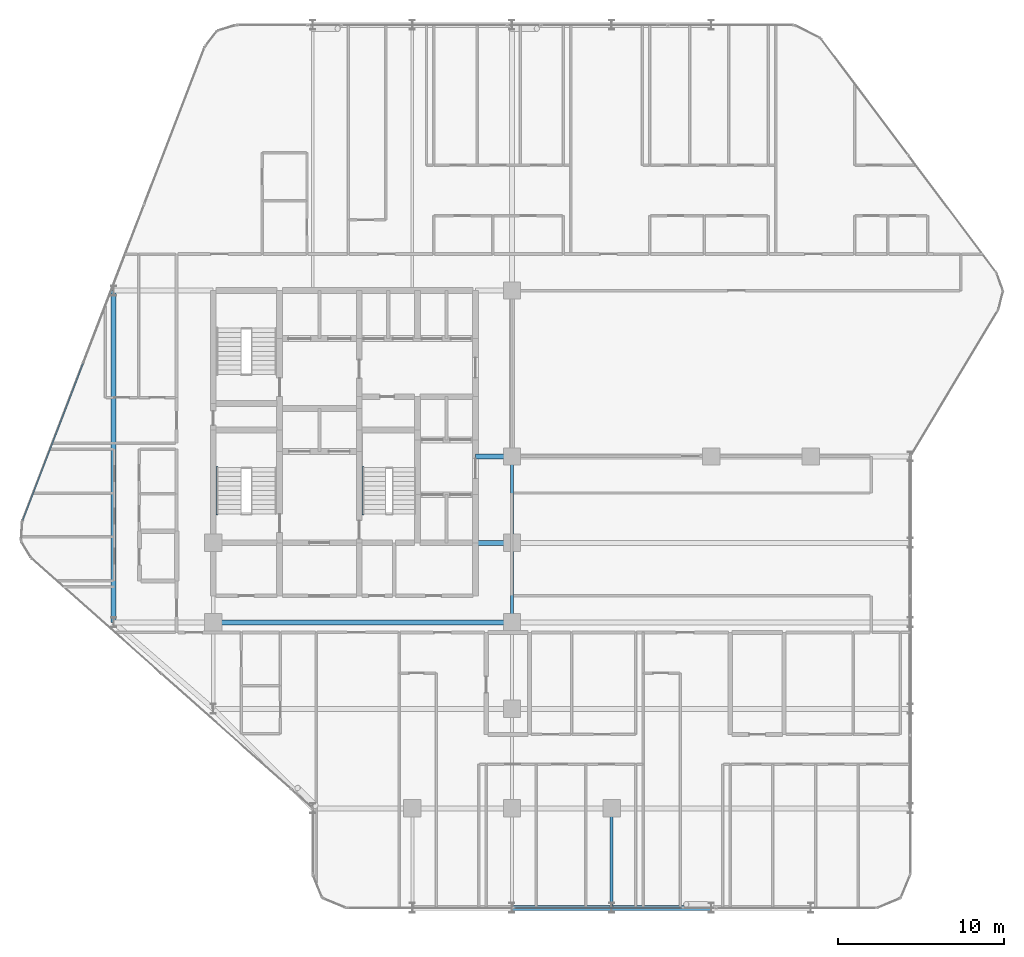
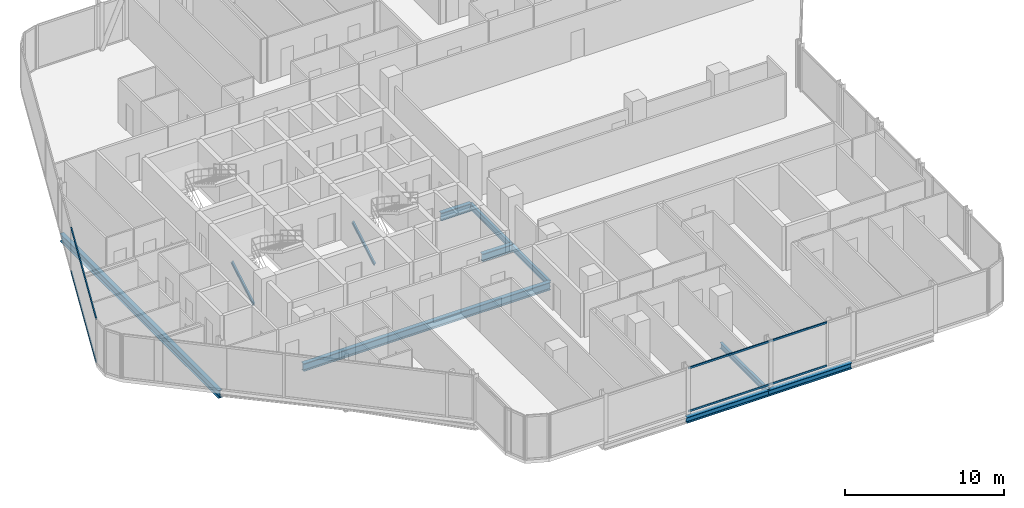
# One storey, part 7 of 29: 9 beams, 6 members, 2 elements without a shape of their own.
"""IFC4 building model written with IfcOpenShell, lengths in metres."""

from ifc_helpers import new_model, si_unit, direction, frame, origin, origin_2d, place, context, subcontext, project, spatial, hollow_rectangle, i_section, extrude, material, layer, layer_set, material_profile, profile_set, type_object, element, aggregate, save


model = new_model("IFC4")

# Units and contexts
model_context = context("Model", 3, precision=1e-05, world=origin(), true_north=direction((0.0, 1.0)))
body_context = subcontext(model_context, "Body", "Model", "MODEL_VIEW")
ifc_project = project(units=[si_unit("LENGTHUNIT", "METRE"), si_unit("AREAUNIT", "SQUARE_METRE"), si_unit("VOLUMEUNIT", "CUBIC_METRE"), si_unit("PLANEANGLEUNIT", "RADIAN"), si_unit("MASSUNIT", "GRAM", prefix="KILO")], contexts=[model_context])

# Site, building, storey
site_placement = place(None, origin())
site = spatial("IfcSite", under=ifc_project, at=site_placement, CompositionType="ELEMENT")
building_placement = place(site_placement, origin())
building = spatial("IfcBuilding", under=site, at=building_placement, Name="Keshet Zoharim Tower", CompositionType="ELEMENT")
storey_placement = place(building_placement, frame((0.0, 0.0, 105.699951171875)))
storey = spatial("IfcBuildingStorey", under=building, at=storey_placement, Name="L25", CompositionType="ELEMENT", Elevation=105.699951171875)

# Beams
ifc_material_1 = material(Name="Steel S355", Category="steel")
ifc_material_profile_1 = material_profile(ifc_material_1, i_section(OverallWidth=0.300048828125, OverallDepth=0.60009765625, WebThickness=0.015380859375, FlangeThickness=0.030029296875, FilletRadius=0.027099609375, at=origin_2d()), Name="HEB600")
ifc_profile_set_1 = profile_set([ifc_material_profile_1], Name="Steel S355")
beam_type_1 = type_object("IfcBeamType", Name="BM-CLK-HB600", PredefinedType="BEAM", material=ifc_profile_set_1)
for number, where, z_axis, x_axis, name in (
    (1, (30.800048828125, 22.699951171875, -0.614990234375), (1.0, 0.0, 0.0), (0.0, 1.0, 0.0), "L25 Core Wall Link Girder 01"),
    (2, (30.800048828125, 27.89990234375, -0.614990234375), (1.0, 0.0, 0.0), (0.0, 1.0, 0.0), "L25 Core Wall Link Girder 02"),
):
    element("IfcBeam", number, at=place(storey_placement, frame(where, z_axis=z_axis, x_axis=x_axis)), inside=storey, type_object=beam_type_1, Name=name, PredefinedType="BEAM", context=body_context, shape_type="SweptSolid", body=[
        extrude(i_section(OverallWidth=0.300048828125, OverallDepth=0.60009765625, WebThickness=0.015380859375, FlangeThickness=0.030029296875, FilletRadius=0.027099609375, at=origin_2d()), origin(), (0.0, 0.0, 1.0), 2.199951171875),
    ])
ifc_material_profile_2 = material_profile(ifc_material_1, i_section(OverallWidth=0.300048828125, OverallDepth=0.60009765625, WebThickness=0.015380859375, FlangeThickness=0.030029296875, FilletRadius=0.027099609375, at=origin_2d()), Name="HEB600")
ifc_profile_set_2 = profile_set([ifc_material_profile_2], Name="Steel S355")
beam_type_2 = type_object("IfcBeamType", Name="BM-LNG-HB600", PredefinedType="BEAM", material=ifc_profile_set_2)
beam_1_placement = place(storey_placement, frame((15.0, 17.89990234375, -0.614990234375), z_axis=(1.0, 0.0, 0.0), x_axis=(0.0, 1.0, 0.0)))
element("IfcBeam", 3, at=beam_1_placement, inside=storey, type_object=beam_type_2, Name="L25 Primary Girder X-012", PredefinedType="BEAM", context=body_context, shape_type="SweptSolid", body=[
    extrude(i_section(OverallWidth=0.300048828125, OverallDepth=0.60009765625, WebThickness=0.015380859375, FlangeThickness=0.030029296875, FilletRadius=0.027099609375, at=origin_2d()), origin(), (0.0, 0.0, 1.0), 18.0),
])
beam_2_placement = place(storey_placement, frame((9.0, 17.89990234375, -0.614990234375), z_axis=(0.0, 1.0, 0.0), x_axis=(-1.0, 0.0, 0.0)))
element("IfcBeam", 4, at=beam_2_placement, inside=storey, type_object=beam_type_2, Name="L25 Primary Girder Y-001", PredefinedType="BEAM", context=body_context, shape_type="SweptSolid", body=[
    extrude(i_section(OverallWidth=0.300048828125, OverallDepth=0.60009765625, WebThickness=0.015380859375, FlangeThickness=0.030029296875, FilletRadius=0.027099609375, at=origin_2d()), origin(), (0.0, 0.0, 1.0), 20.0),
])
ifc_material_profile_3 = material_profile(ifc_material_1, i_section(OverallWidth=0.18994140625, OverallDepth=0.449951171875, WebThickness=0.009521484375, FlangeThickness=0.0146484375, FilletRadius=0.02099609375, at=origin_2d()), Name="IPE450")
ifc_profile_set_3 = profile_set([ifc_material_profile_3], Name="Steel S355")
beam_type_3 = type_object("IfcBeamType", Name="BM-PRI-IP450", PredefinedType="BEAM", material=ifc_profile_set_3)
beam_3_placement = place(storey_placement, frame((33.0, 17.89990234375, -0.5400390625), z_axis=(0.0, 1.0, 0.0), x_axis=(-1.0, 0.0, 0.0)))
element("IfcBeam", 5, at=beam_3_placement, inside=storey, type_object=beam_type_3, Name="L25 Primary Girder Y-008", PredefinedType="BEAM", context=body_context, shape_type="SweptSolid", body=[
    extrude(i_section(OverallWidth=0.18994140625, OverallDepth=0.449951171875, WebThickness=0.009521484375, FlangeThickness=0.0146484375, FilletRadius=0.02099609375, at=origin_2d()), origin(), (0.0, 0.0, 1.0), 4.800048828125),
])
beam_4_placement = place(storey_placement, frame((33.0, 22.699951171875, -0.5400390625), z_axis=(0.0, 1.0, 0.0), x_axis=(-1.0, 0.0, 0.0)))
element("IfcBeam", 6, at=beam_4_placement, inside=storey, type_object=beam_type_3, Name="L25 Primary Girder Y-009", PredefinedType="BEAM", context=body_context, shape_type="SweptSolid", body=[
    extrude(i_section(OverallWidth=0.18994140625, OverallDepth=0.449951171875, WebThickness=0.009521484375, FlangeThickness=0.0146484375, FilletRadius=0.02099609375, at=origin_2d()), origin(), (0.0, 0.0, 1.0), 5.199951171875),
])
beam_5_placement = place(storey_placement, frame((39.0, 0.699951171875, -0.5400390625), z_axis=(0.0, 1.0, 0.0), x_axis=(-1.0, 0.0, 0.0)))
element("IfcBeam", 7, at=beam_5_placement, inside=storey, type_object=beam_type_3, Name="L25 Primary Girder Y-012", PredefinedType="BEAM", context=body_context, shape_type="SweptSolid", body=[
    extrude(i_section(OverallWidth=0.18994140625, OverallDepth=0.449951171875, WebThickness=0.009521484375, FlangeThickness=0.0146484375, FilletRadius=0.02099609375, at=origin_2d()), origin(), (0.0, 0.0, 1.0), 6.0),
])
ifc_material_profile_4 = material_profile(ifc_material_1, i_section(OverallWidth=0.300048828125, OverallDepth=0.449951171875, WebThickness=0.013916015625, FlangeThickness=0.02587890625, FilletRadius=0.027099609375, at=origin_2d()), Name="HEB450")
ifc_profile_set_4 = profile_set([ifc_material_profile_4], Name="Steel S355")
beam_type_4 = type_object("IfcBeamType", Name="BM-WEB-HB450", PredefinedType="BEAM", material=ifc_profile_set_4)
for number, where, z_axis, x_axis, name in (
    (8, (33.0, 0.699951171875, -0.5400390625), (1.0, 0.0, 0.0), (0.0, 1.0, 0.0), "L25 Primary Girder X-002"),
    (9, (39.0, 0.699951171875, -0.5400390625), (1.0, 0.0, 0.0), (0.0, 1.0, 0.0), "L25 Primary Girder X-003"),
):
    element("IfcBeam", number, at=place(storey_placement, frame(where, z_axis=z_axis, x_axis=x_axis)), inside=storey, type_object=beam_type_4, Name=name, PredefinedType="BEAM", context=body_context, shape_type="SweptSolid", body=[
        extrude(i_section(OverallWidth=0.300048828125, OverallDepth=0.449951171875, WebThickness=0.013916015625, FlangeThickness=0.02587890625, FilletRadius=0.027099609375, at=origin_2d()), origin(), (0.0, 0.0, 1.0), 6.0),
    ])

# Curtain wall, members
ifc_material_2 = material(Name="Aluminium 6063-T6", Category="aluminium")
ifc_layer = layer(ifc_material_2, 0.159912109375)
ifc_layer_set = layer_set([ifc_layer], Name="Aluminium 6063-T6")
curtain_wall_type = type_object("IfcCurtainWallType", Name="CW-SYS-03", PredefinedType="NOTDEFINED", material=ifc_layer_set)
curtain_wall_1_placement = place(storey_placement, origin())
curtain_wall_1 = element("IfcCurtainWall", 10, at=curtain_wall_1_placement, inside=storey, type_object=curtain_wall_type, Name="L25 Unitised Curtain Wall 03 Part 3", PredefinedType="NOTDEFINED")
ifc_material_profile_5 = material_profile(ifc_material_2, hollow_rectangle(XDim=0.080078125, YDim=0.139892578125, WallThickness=0.00390625, at=origin_2d()), Name="TRN-80x140")
ifc_profile_set_5 = profile_set([ifc_material_profile_5], Name="Aluminium 6063-T6")
member_type_1 = type_object("IfcMemberType", Name="CWT-T14", PredefinedType="USERDEFINED", material=ifc_profile_set_5)
member_1_placement = place(storey_placement, frame((43.2373046875, 0.699951171875, 0.03515625), z_axis=(-1.0, 0.0, 0.0), x_axis=(0.0, -1.0, 0.0)))
member_1 = element("IfcMember", 11, at=member_1_placement, type_object=member_type_1, Name="CW-03 transom 1.1", ObjectType="TRANSOM", PredefinedType="USERDEFINED", context=body_context, shape_type="SweptSolid", body=[
    extrude(hollow_rectangle(XDim=0.080078125, YDim=0.139892578125, WallThickness=0.00390625, at=origin_2d()), origin(), (0.0, 0.0, 1.0), 10.08349609375),
])
member_2_placement = place(storey_placement, frame((43.2373046875, 0.699951171875, 3.35009765625), z_axis=(-1.0, 0.0, 0.0), x_axis=(0.0, -1.0, 0.0)))
member_2 = element("IfcMember", 12, at=member_2_placement, type_object=member_type_1, Name="CW-03 transom 1.2", ObjectType="TRANSOM", PredefinedType="USERDEFINED", context=body_context, shape_type="SweptSolid", body=[
    extrude(hollow_rectangle(XDim=0.080078125, YDim=0.139892578125, WallThickness=0.00390625, at=origin_2d()), origin(), (0.0, 0.0, 1.0), 10.08349609375),
])
aggregate(curtain_wall_1, [member_1, member_2])

curtain_wall_2_placement = place(storey_placement, origin())
curtain_wall_2 = element("IfcCurtainWall", 13, at=curtain_wall_2_placement, inside=storey, type_object=curtain_wall_type, Name="L25 Unitised Curtain Wall 10", PredefinedType="NOTDEFINED")
member_3_placement = place(storey_placement, frame((3.522216796875, 24.058349609375, 0.03515625), z_axis=(0.358993631387, 0.93334000912, 0.0), x_axis=(-0.93334000912, 0.358993631387, 0.0)))
member_3 = element("IfcMember", 14, at=member_3_placement, type_object=member_type_1, Name="CW-03 transom 1.1", ObjectType="TRANSOM", PredefinedType="USERDEFINED", context=body_context, shape_type="SweptSolid", body=[
    extrude(hollow_rectangle(XDim=0.080078125, YDim=0.139892578125, WallThickness=0.00390625, at=origin_2d()), origin(), (0.0, 0.0, 1.0), 10.1181640625),
])
member_4_placement = place(storey_placement, frame((3.522216796875, 24.058349609375, 3.35009765625), z_axis=(0.358993631387, 0.93334000912, 0.0), x_axis=(-0.93334000912, 0.358993631387, 0.0)))
member_4 = element("IfcMember", 15, at=member_4_placement, type_object=member_type_1, Name="CW-03 transom 1.2", ObjectType="TRANSOM", PredefinedType="USERDEFINED", context=body_context, shape_type="SweptSolid", body=[
    extrude(hollow_rectangle(XDim=0.080078125, YDim=0.139892578125, WallThickness=0.00390625, at=origin_2d()), origin(), (0.0, 0.0, 1.0), 10.1181640625),
])
aggregate(curtain_wall_2, [member_3, member_4])

# Members
ifc_material_profile_6 = material_profile(ifc_material_1, i_section(OverallWidth=0.1201171875, OverallDepth=0.239990234375, WebThickness=0.006103515625, FlangeThickness=0.009765625, FilletRadius=0.014892578125, at=origin_2d()), Name="IPE240")
ifc_profile_set_6 = profile_set([ifc_material_profile_6], Name="Steel S355")
member_type_2 = type_object("IfcMemberType", Name="MB-STRG-IP240", PredefinedType="STRINGER", material=ifc_profile_set_6)
for number, where, z_axis, x_axis, name in (
    (16, (15.22998046875, 24.43994140625, 0.1201171875), (0.0, 0.866928350432, 0.498432779035), (-1.0, 0.0, 0.0), "L25 ST-01 Flight Steel Stringer"),
    (17, (24.030029296875, 24.43994140625, 0.1201171875), (0.0, 0.866928350432, 0.498432779035), (-1.0, 0.0, 0.0), "L25 ST-03 Flight Steel Stringer"),
):
    element("IfcMember", number, at=place(storey_placement, frame(where, z_axis=z_axis, x_axis=x_axis)), inside=storey, type_object=member_type_2, Name=name, PredefinedType="STRINGER", context=body_context, shape_type="SweptSolid", body=[
        extrude(i_section(OverallWidth=0.1201171875, OverallDepth=0.239990234375, WebThickness=0.006103515625, FlangeThickness=0.009765625, FilletRadius=0.014892578125, at=origin_2d()), origin(), (0.0, 0.0, 1.0), 3.229736328125),
    ])

save(model, "model.ifc")
